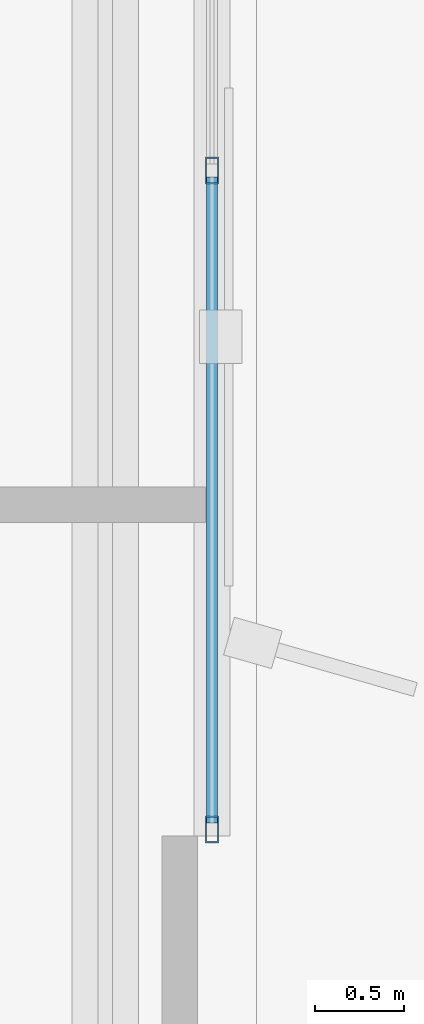
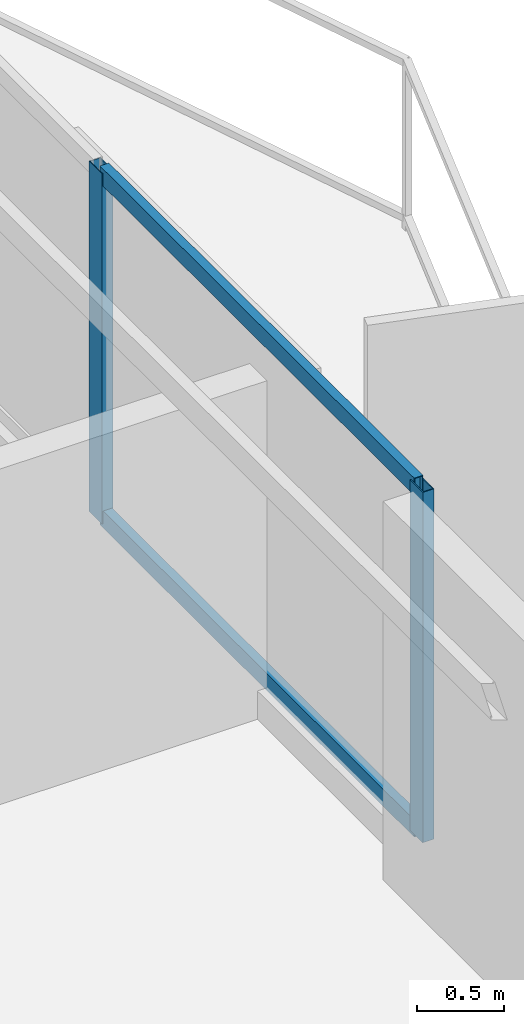
# One storey, part 8 of 22: 4 members, 1 element without a shape of its own.
"""IFC4 building model written with IfcOpenShell, lengths in metres."""

from ifc_helpers import new_model, si_unit, direction, frame, origin, origin_2d, place, context, subcontext, project, spatial, hollow_rectangle, extrude, material, layer, layer_set, material_profile, profile_set, type_object, element, aggregate, save


model = new_model("IFC4")

# Units and contexts
model_context = context("Model", 3, precision=1e-05, world=origin(), true_north=direction((0.0, 1.0)))
body_context = subcontext(model_context, "Body", "Model", "MODEL_VIEW")
ifc_project = project(units=[si_unit("LENGTHUNIT", "METRE"), si_unit("AREAUNIT", "SQUARE_METRE"), si_unit("VOLUMEUNIT", "CUBIC_METRE"), si_unit("PLANEANGLEUNIT", "RADIAN"), si_unit("MASSUNIT", "GRAM", prefix="KILO")], contexts=[model_context])

# Site, building, storey
site_placement = place(None, origin())
site = spatial("IfcSite", under=ifc_project, at=site_placement, CompositionType="ELEMENT")
building_placement = place(site_placement, origin())
building = spatial("IfcBuilding", under=site, at=building_placement, Name="Mersakhor Tower and Convention Hall", CompositionType="ELEMENT")
storey_placement = place(building_placement, frame((0.0, 0.0, 83.39990234375)))
storey = spatial("IfcBuildingStorey", under=building, at=storey_placement, Name="L22", CompositionType="ELEMENT", Elevation=83.39990234375)

# Curtain wall, members
ifc_material_1 = material(Name="Dark solar low-E aluminium curtain wall", Category="aluminium")
ifc_layer = layer(ifc_material_1, 0.159912109375)
ifc_layer_set = layer_set([ifc_layer], Name="Dark solar low-E aluminium curtain wall")
curtain_wall_type = type_object("IfcCurtainWallType", Name="CW-SYS-01", PredefinedType="USERDEFINED", material=ifc_layer_set)
curtain_wall_placement = place(storey_placement, origin())
curtain_wall = element("IfcCurtainWall", 1, at=curtain_wall_placement, inside=storey, type_object=curtain_wall_type, Name="L22 Dark-Glass Curtain Wall F2-B2", ObjectType="CURTAIN WALL", PredefinedType="USERDEFINED")
ifc_material_2 = material(Name="Anodised aluminium EN AW-6063 T6", Category="aluminium")
ifc_material_profile_1 = material_profile(ifc_material_2, hollow_rectangle(XDim=0.074951171875, YDim=0.14990234375, WallThickness=0.00634765625, at=origin_2d()), Name="RHS 150x75x6.3")
ifc_profile_set_1 = profile_set([ifc_material_profile_1], Name="Anodised aluminium EN AW-6063 T6")
member_type_1 = type_object("IfcMemberType", Name="CWM-150x75", PredefinedType="MULLION", material=ifc_profile_set_1)
member_1_placement = place(storey_placement, frame((43.03466796875, 24.87841796875, 0.2001953125), z_axis=(0.0, 0.0, 1.0), x_axis=(1.0, 0.0, 0.0)))
member_1 = element("IfcMember", 2, at=member_1_placement, type_object=member_type_1, Name="CW-01 mullion 3", PredefinedType="MULLION", context=body_context, shape_type="SweptSolid", body=[
    extrude(hollow_rectangle(XDim=0.074951171875, YDim=0.14990234375, WallThickness=0.00634765625, at=origin_2d()), origin(), (0.0, 0.0, 1.0), 2.469970703125),
])
member_2_placement = place(storey_placement, frame((43.03466796875, 21.172607421875, 0.2001953125), z_axis=(0.0, 0.0, 1.0), x_axis=(1.0, 0.0, 0.0)))
member_2 = element("IfcMember", 3, at=member_2_placement, type_object=member_type_1, Name="CW-01 mullion 4", PredefinedType="MULLION", context=body_context, shape_type="SweptSolid", body=[
    extrude(hollow_rectangle(XDim=0.074951171875, YDim=0.14990234375, WallThickness=0.00634765625, at=origin_2d()), origin(), (0.0, 0.0, 1.0), 2.469970703125),
])
ifc_material_3 = material(Name="Anodised aluminium EN AW-6063 T6", Category="aluminium")
ifc_material_profile_2 = material_profile(ifc_material_3, hollow_rectangle(XDim=0.06005859375, YDim=0.1201171875, WallThickness=0.0048828125, at=origin_2d()), Name="RHS 120x60x5")
ifc_profile_set_2 = profile_set([ifc_material_profile_2], Name="Anodised aluminium EN AW-6063 T6")
member_type_2 = type_object("IfcMemberType", Name="CWT-120x60", PredefinedType="USERDEFINED", material=ifc_profile_set_2)
member_3_placement = place(storey_placement, frame((43.03466796875, 24.8408203125, 0.22998046875), z_axis=(0.0, -1.0, 0.0), x_axis=(1.0, 0.0, 0.0)))
member_3 = element("IfcMember", 4, at=member_3_placement, type_object=member_type_2, Name="CW-01 transom 3.1", ObjectType="TRANSOM", PredefinedType="USERDEFINED", context=body_context, shape_type="SweptSolid", body=[
    extrude(hollow_rectangle(XDim=0.06005859375, YDim=0.1201171875, WallThickness=0.0048828125, at=origin_2d()), origin(), (0.0, 0.0, 1.0), 3.630615234375),
])
member_4_placement = place(storey_placement, frame((43.03466796875, 24.8408203125, 2.64013671875), z_axis=(0.0, -1.0, 0.0), x_axis=(1.0, 0.0, 0.0)))
member_4 = element("IfcMember", 5, at=member_4_placement, type_object=member_type_2, Name="CW-01 transom 3.2", ObjectType="TRANSOM", PredefinedType="USERDEFINED", context=body_context, shape_type="SweptSolid", body=[
    extrude(hollow_rectangle(XDim=0.06005859375, YDim=0.1201171875, WallThickness=0.0048828125, at=origin_2d()), origin(), (0.0, 0.0, 1.0), 3.630615234375),
])
aggregate(curtain_wall, [member_1, member_2, member_3, member_4])

save(model, "model.ifc")
